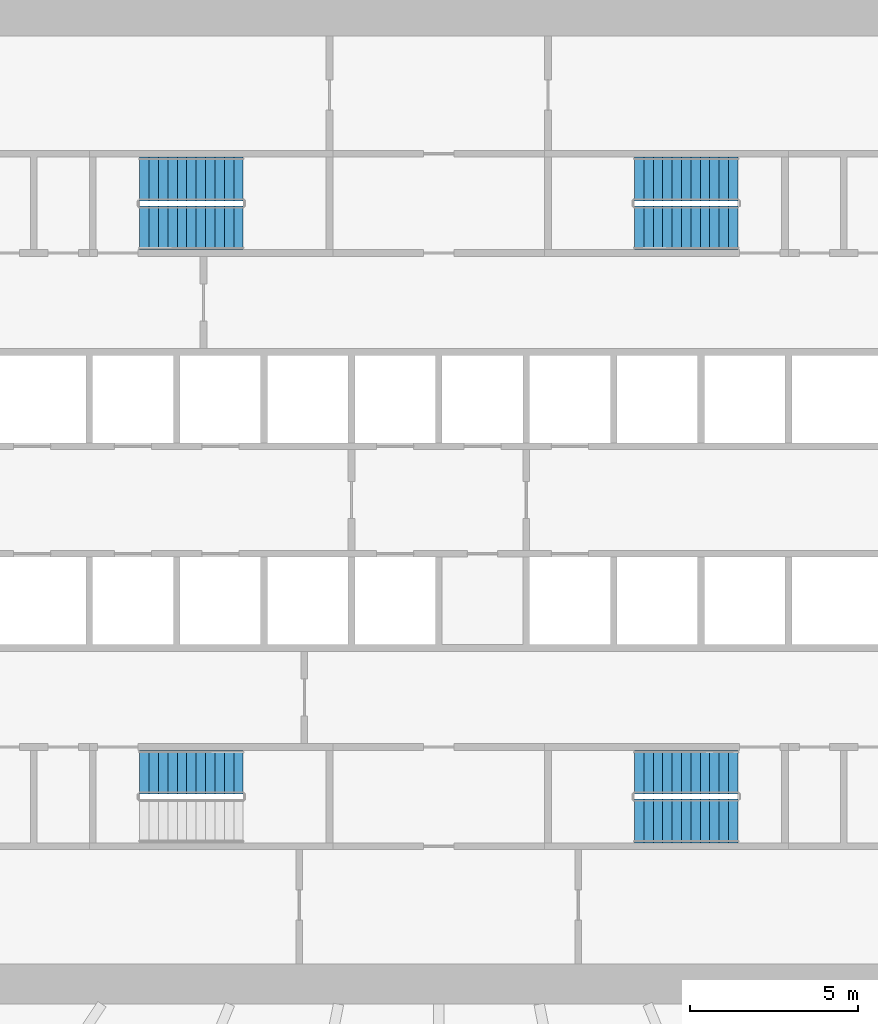
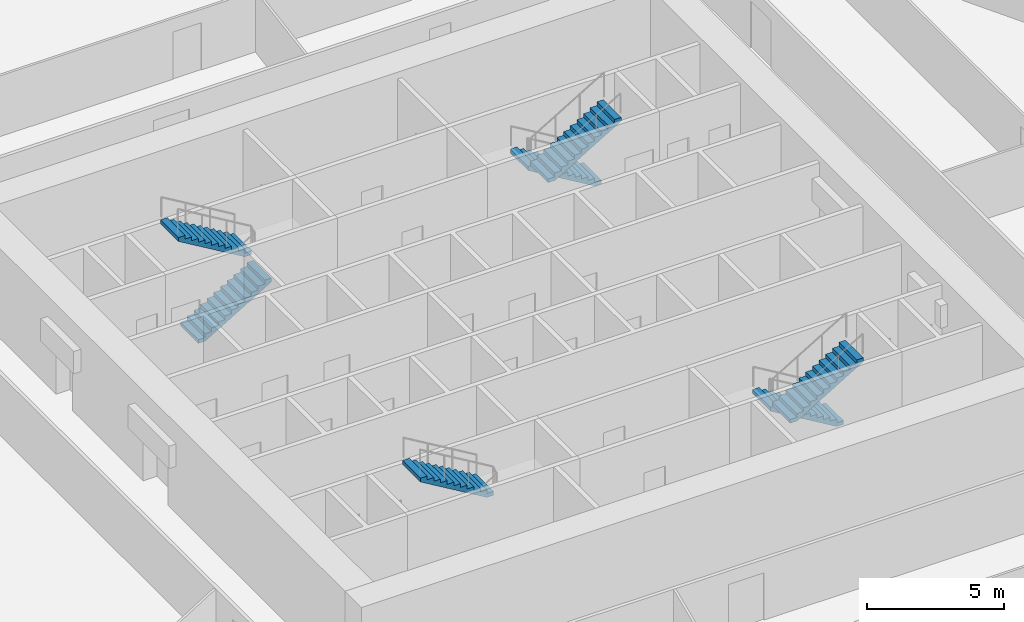
# One storey, part 14 of 15: 7 stair flights, 4 elements without a shape of their own.
"""IFC4 building model written with IfcOpenShell, lengths in metres."""

from ifc_helpers import new_model, si_unit, direction, frame, origin, place, context, subcontext, project, spatial, polyline, outline, extrude, material, type_object, element, aggregate, save


model = new_model("IFC4")

# Units and contexts
model_context = context("Model", 3, precision=1e-05, world=origin(), true_north=direction((0.0, 1.0)))
body_context = subcontext(model_context, "Body", "Model", "MODEL_VIEW")
ifc_project = project(units=[si_unit("LENGTHUNIT", "METRE"), si_unit("AREAUNIT", "SQUARE_METRE"), si_unit("VOLUMEUNIT", "CUBIC_METRE"), si_unit("PLANEANGLEUNIT", "RADIAN"), si_unit("MASSUNIT", "GRAM", prefix="KILO")], contexts=[model_context])

# Site, building, storey
site_placement = place(None, origin())
site = spatial("IfcSite", under=ifc_project, at=site_placement, CompositionType="ELEMENT")
building_placement = place(site_placement, origin())
building = spatial("IfcBuilding", under=site, at=building_placement, Name="Corvane Civic Tower", CompositionType="ELEMENT")
storey_placement = place(building_placement, frame((0.0, 0.0, 45.0)))
storey = spatial("IfcBuildingStorey", under=building, at=storey_placement, Name="L09", CompositionType="ELEMENT", Elevation=45.0)

# Stair, stair flights
ifc_material_1 = material(Name="Concrete C40/50", Category="concrete")
stair_type = type_object("IfcStairType", Name="ST-STAIR-HALFTURN", PredefinedType="HALF_TURN_STAIR", material=ifc_material_1)
stair_1_placement = place(storey_placement, origin())
stair_1 = element("IfcStair", 1, at=stair_1_placement, inside=storey, type_object=stair_type, Name="L09 Exit stair ST1", PredefinedType="HALF_TURN_STAIR")
ifc_material_2 = material(Name="Concrete C40/50", Category="concrete")
stair_flight_type = type_object("IfcStairFlightType", Name="ST-FLIGHT-RC", PredefinedType="STRAIGHT", material=ifc_material_2)
stair_flight_1_placement = place(storey_placement, frame((8.89990234375, 9.550048828125, 0.0), z_axis=(0.0, 0.0, 1.0), x_axis=(-1.0, 0.0, 0.0)))
stair_flight_1 = element("IfcStairFlight", 2, at=stair_flight_1_placement, type_object=stair_flight_type, Name="ST1 flight 1", NumberOfRisers=12, NumberOfTreads=11, PredefinedType="STRAIGHT", RiserHeight=0.166666667, TreadLength=0.28, context=body_context, shape_type="SweptSolid", body=[
    extrude(outline(polyline([(0.0, 0.0), (0.0, 0.166748046875), (0.280029296875, 0.166748046875), (0.280029296875, 0.333251953125), (0.56005859375, 0.333251953125), (0.56005859375, 0.5), (0.840087890625, 0.5), (0.840087890625, 0.666748046875), (1.1201171875, 0.666748046875), (1.1201171875, 0.833251953125), (1.39990234375, 0.833251953125), (1.39990234375, 1.0), (1.679931640625, 1.0), (1.679931640625, 1.166748046875), (1.9599609375, 1.166748046875), (1.9599609375, 1.333251953125), (2.239990234375, 1.333251953125), (2.239990234375, 1.5), (2.52001953125, 1.5), (2.52001953125, 1.666748046875), (2.800048828125, 1.666748046875), (2.800048828125, 1.833251953125), (3.080078125, 1.833251953125), (3.080078125, 2.0), (3.080078125, 1.658935546875), (0.29296875, 0.0), (0.0, 0.0)])), frame((0.0, 0.64990234375, 0.0), z_axis=(0.0, -1.0, 0.0), x_axis=(1.0, 0.0, 0.0)), (0.0, 0.0, 1.0), 1.300048828125),
])
stair_flight_2_placement = place(storey_placement, frame((5.820068359375, 8.10009765625, 2.0), z_axis=(0.0, 0.0, 1.0), x_axis=(1.0, 0.0, 0.0)))
stair_flight_2 = element("IfcStairFlight", 3, at=stair_flight_2_placement, type_object=stair_flight_type, Name="ST1 flight 2", NumberOfRisers=12, NumberOfTreads=11, PredefinedType="STRAIGHT", RiserHeight=0.166666667, TreadLength=0.28, context=body_context, shape_type="SweptSolid", body=[
    extrude(outline(polyline([(0.0, 0.0), (0.0, 0.166748046875), (0.280029296875, 0.166748046875), (0.280029296875, 0.333251953125), (0.56005859375, 0.333251953125), (0.56005859375, 0.5), (0.840087890625, 0.5), (0.840087890625, 0.666748046875), (1.1201171875, 0.666748046875), (1.1201171875, 0.833251953125), (1.39990234375, 0.833251953125), (1.39990234375, 1.0), (1.679931640625, 1.0), (1.679931640625, 1.166748046875), (1.9599609375, 1.166748046875), (1.9599609375, 1.333251953125), (2.239990234375, 1.333251953125), (2.239990234375, 1.5), (2.52001953125, 1.5), (2.52001953125, 1.666748046875), (2.800048828125, 1.666748046875), (2.800048828125, 1.833251953125), (3.080078125, 1.833251953125), (3.080078125, 2.0), (3.080078125, 1.658935546875), (0.29296875, 0.0), (0.0, 0.0)])), frame((0.0, 0.64990234375, 0.0), z_axis=(0.0, -1.0, 0.0), x_axis=(1.0, 0.0, 0.0)), (0.0, 0.0, 1.0), 1.300048828125),
])
aggregate(stair_1, [stair_flight_1, stair_flight_2])

stair_2_placement = place(storey_placement, origin())
stair_2 = element("IfcStair", 4, at=stair_2_placement, inside=storey, type_object=stair_type, Name="L09 Exit stair ST2", PredefinedType="HALF_TURN_STAIR")
stair_flight_3_placement = place(storey_placement, frame((8.89990234375, -8.10009765625, 0.0), z_axis=(0.0, 0.0, 1.0), x_axis=(-1.0, 0.0, 0.0)))
stair_flight_3 = element("IfcStairFlight", 5, at=stair_flight_3_placement, type_object=stair_flight_type, Name="ST2 flight 1", NumberOfRisers=12, NumberOfTreads=11, PredefinedType="STRAIGHT", RiserHeight=0.166666667, TreadLength=0.28, context=body_context, shape_type="SweptSolid", body=[
    extrude(outline(polyline([(0.0, 0.0), (0.0, 0.166748046875), (0.280029296875, 0.166748046875), (0.280029296875, 0.333251953125), (0.56005859375, 0.333251953125), (0.56005859375, 0.5), (0.840087890625, 0.5), (0.840087890625, 0.666748046875), (1.1201171875, 0.666748046875), (1.1201171875, 0.833251953125), (1.39990234375, 0.833251953125), (1.39990234375, 1.0), (1.679931640625, 1.0), (1.679931640625, 1.166748046875), (1.9599609375, 1.166748046875), (1.9599609375, 1.333251953125), (2.239990234375, 1.333251953125), (2.239990234375, 1.5), (2.52001953125, 1.5), (2.52001953125, 1.666748046875), (2.800048828125, 1.666748046875), (2.800048828125, 1.833251953125), (3.080078125, 1.833251953125), (3.080078125, 2.0), (3.080078125, 1.658935546875), (0.29296875, 0.0), (0.0, 0.0)])), frame((0.0, 0.64990234375, 0.0), z_axis=(0.0, -1.0, 0.0), x_axis=(1.0, 0.0, 0.0)), (0.0, 0.0, 1.0), 1.300048828125),
])
stair_flight_4_placement = place(storey_placement, frame((5.820068359375, -9.550048828125, 2.0), z_axis=(0.0, 0.0, 1.0), x_axis=(1.0, 0.0, 0.0)))
stair_flight_4 = element("IfcStairFlight", 6, at=stair_flight_4_placement, type_object=stair_flight_type, Name="ST2 flight 2", NumberOfRisers=12, NumberOfTreads=11, PredefinedType="STRAIGHT", RiserHeight=0.166666667, TreadLength=0.28, context=body_context, shape_type="SweptSolid", body=[
    extrude(outline(polyline([(0.0, 0.0), (0.0, 0.166748046875), (0.280029296875, 0.166748046875), (0.280029296875, 0.333251953125), (0.56005859375, 0.333251953125), (0.56005859375, 0.5), (0.840087890625, 0.5), (0.840087890625, 0.666748046875), (1.1201171875, 0.666748046875), (1.1201171875, 0.833251953125), (1.39990234375, 0.833251953125), (1.39990234375, 1.0), (1.679931640625, 1.0), (1.679931640625, 1.166748046875), (1.9599609375, 1.166748046875), (1.9599609375, 1.333251953125), (2.239990234375, 1.333251953125), (2.239990234375, 1.5), (2.52001953125, 1.5), (2.52001953125, 1.666748046875), (2.800048828125, 1.666748046875), (2.800048828125, 1.833251953125), (3.080078125, 1.833251953125), (3.080078125, 2.0), (3.080078125, 1.658935546875), (0.29296875, 0.0), (0.0, 0.0)])), frame((0.0, 0.64990234375, 0.0), z_axis=(0.0, -1.0, 0.0), x_axis=(1.0, 0.0, 0.0)), (0.0, 0.0, 1.0), 1.300048828125),
])
aggregate(stair_2, [stair_flight_3, stair_flight_4])

# Stair, stair flight
stair_3_placement = place(storey_placement, origin())
stair_3 = element("IfcStair", 7, at=stair_3_placement, inside=storey, type_object=stair_type, Name="L09 Exit stair ST3", PredefinedType="HALF_TURN_STAIR")
stair_flight_5_placement = place(storey_placement, frame((-5.820068359375, -8.10009765625, 2.0), z_axis=(0.0, 0.0, 1.0), x_axis=(-1.0, 0.0, 0.0)))
stair_flight_5 = element("IfcStairFlight", 8, at=stair_flight_5_placement, type_object=stair_flight_type, Name="ST3 flight 2", NumberOfRisers=12, NumberOfTreads=11, PredefinedType="STRAIGHT", RiserHeight=0.166666667, TreadLength=0.28, context=body_context, shape_type="SweptSolid", body=[
    extrude(outline(polyline([(0.0, 0.0), (0.0, 0.166748046875), (0.280029296875, 0.166748046875), (0.280029296875, 0.333251953125), (0.56005859375, 0.333251953125), (0.56005859375, 0.5), (0.840087890625, 0.5), (0.840087890625, 0.666748046875), (1.1201171875, 0.666748046875), (1.1201171875, 0.833251953125), (1.39990234375, 0.833251953125), (1.39990234375, 1.0), (1.679931640625, 1.0), (1.679931640625, 1.166748046875), (1.9599609375, 1.166748046875), (1.9599609375, 1.333251953125), (2.239990234375, 1.333251953125), (2.239990234375, 1.5), (2.52001953125, 1.5), (2.52001953125, 1.666748046875), (2.800048828125, 1.666748046875), (2.800048828125, 1.833251953125), (3.080078125, 1.833251953125), (3.080078125, 2.0), (3.080078125, 1.658935546875), (0.29296875, 0.0), (0.0, 0.0)])), frame((0.0, 0.64990234375, 0.0), z_axis=(0.0, -1.0, 0.0), x_axis=(1.0, 0.0, 0.0)), (0.0, 0.0, 1.0), 1.300048828125),
])
aggregate(stair_3, [stair_flight_5])

# Stair, stair flights
stair_4_placement = place(storey_placement, origin())
stair_4 = element("IfcStair", 9, at=stair_4_placement, inside=storey, type_object=stair_type, Name="L09 Exit stair ST4", PredefinedType="HALF_TURN_STAIR")
stair_flight_6_placement = place(storey_placement, frame((-8.89990234375, 8.10009765625, 0.0), z_axis=(0.0, 0.0, 1.0), x_axis=(1.0, 0.0, 0.0)))
stair_flight_6 = element("IfcStairFlight", 10, at=stair_flight_6_placement, type_object=stair_flight_type, Name="ST4 flight 1", NumberOfRisers=12, NumberOfTreads=11, PredefinedType="STRAIGHT", RiserHeight=0.166666667, TreadLength=0.28, context=body_context, shape_type="SweptSolid", body=[
    extrude(outline(polyline([(0.0, 0.0), (0.0, 0.166748046875), (0.280029296875, 0.166748046875), (0.280029296875, 0.333251953125), (0.56005859375, 0.333251953125), (0.56005859375, 0.5), (0.840087890625, 0.5), (0.840087890625, 0.666748046875), (1.1201171875, 0.666748046875), (1.1201171875, 0.833251953125), (1.39990234375, 0.833251953125), (1.39990234375, 1.0), (1.679931640625, 1.0), (1.679931640625, 1.166748046875), (1.9599609375, 1.166748046875), (1.9599609375, 1.333251953125), (2.239990234375, 1.333251953125), (2.239990234375, 1.5), (2.52001953125, 1.5), (2.52001953125, 1.666748046875), (2.800048828125, 1.666748046875), (2.800048828125, 1.833251953125), (3.080078125, 1.833251953125), (3.080078125, 2.0), (3.080078125, 1.658935546875), (0.29296875, 0.0), (0.0, 0.0)])), frame((0.0, 0.64990234375, 0.0), z_axis=(0.0, -1.0, 0.0), x_axis=(1.0, 0.0, 0.0)), (0.0, 0.0, 1.0), 1.300048828125),
])
stair_flight_7_placement = place(storey_placement, frame((-5.820068359375, 9.550048828125, 2.0), z_axis=(0.0, 0.0, 1.0), x_axis=(-1.0, 0.0, 0.0)))
stair_flight_7 = element("IfcStairFlight", 11, at=stair_flight_7_placement, type_object=stair_flight_type, Name="ST4 flight 2", NumberOfRisers=12, NumberOfTreads=11, PredefinedType="STRAIGHT", RiserHeight=0.166666667, TreadLength=0.28, context=body_context, shape_type="SweptSolid", body=[
    extrude(outline(polyline([(0.0, 0.0), (0.0, 0.166748046875), (0.280029296875, 0.166748046875), (0.280029296875, 0.333251953125), (0.56005859375, 0.333251953125), (0.56005859375, 0.5), (0.840087890625, 0.5), (0.840087890625, 0.666748046875), (1.1201171875, 0.666748046875), (1.1201171875, 0.833251953125), (1.39990234375, 0.833251953125), (1.39990234375, 1.0), (1.679931640625, 1.0), (1.679931640625, 1.166748046875), (1.9599609375, 1.166748046875), (1.9599609375, 1.333251953125), (2.239990234375, 1.333251953125), (2.239990234375, 1.5), (2.52001953125, 1.5), (2.52001953125, 1.666748046875), (2.800048828125, 1.666748046875), (2.800048828125, 1.833251953125), (3.080078125, 1.833251953125), (3.080078125, 2.0), (3.080078125, 1.658935546875), (0.29296875, 0.0), (0.0, 0.0)])), frame((0.0, 0.64990234375, 0.0), z_axis=(0.0, -1.0, 0.0), x_axis=(1.0, 0.0, 0.0)), (0.0, 0.0, 1.0), 1.300048828125),
])
aggregate(stair_4, [stair_flight_6, stair_flight_7])

save(model, "model.ifc")
